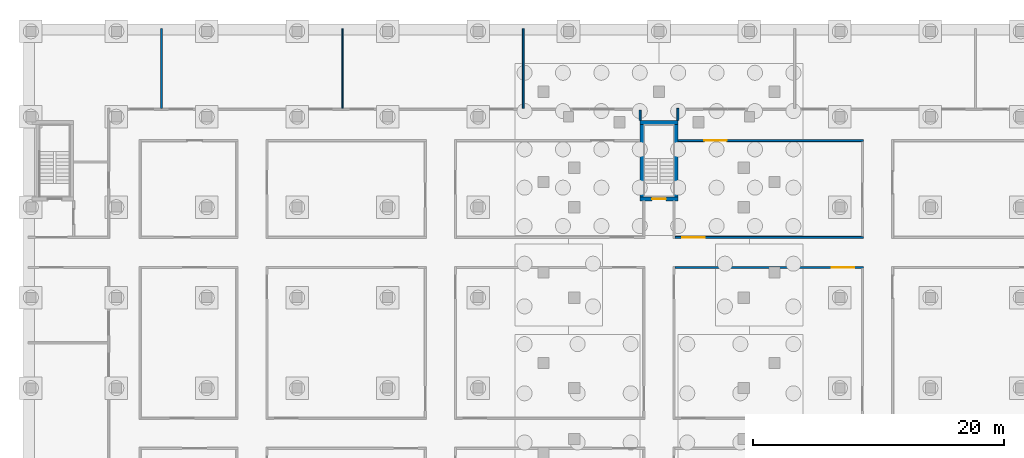
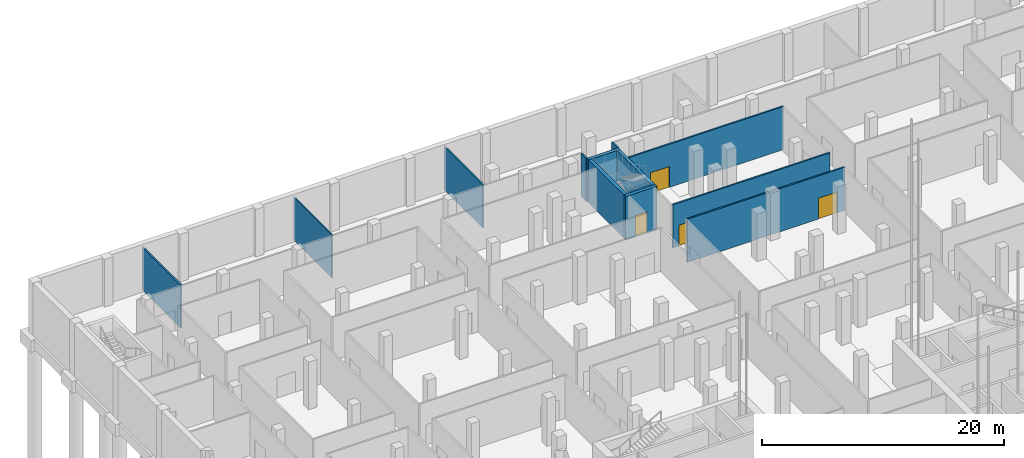
# One storey, part 18 of 54: 12 walls, 4 doors, 4 openings.
"""IFC4 building model written with IfcOpenShell, lengths in metres."""

from ifc_helpers import new_model, si_unit, direction, frame, frame_2d, origin, place, context, subcontext, project, spatial, rectangle, extrude, material, layer, layer_set, type_object, element, fill, save


model = new_model("IFC4")

# Units and contexts
model_context = context("Model", 3, precision=1e-05, world=origin(), true_north=direction((0.0, 1.0)))
body_context = subcontext(model_context, "Body", "Model", "MODEL_VIEW")
ifc_project = project(units=[si_unit("LENGTHUNIT", "METRE"), si_unit("AREAUNIT", "SQUARE_METRE"), si_unit("VOLUMEUNIT", "CUBIC_METRE"), si_unit("PLANEANGLEUNIT", "RADIAN"), si_unit("MASSUNIT", "GRAM", prefix="KILO")], contexts=[model_context])

# Site, building, storey
site_placement = place(None, origin())
site = spatial("IfcSite", under=ifc_project, at=site_placement, CompositionType="ELEMENT")
building_placement = place(site_placement, origin())
building = spatial("IfcBuilding", under=site, at=building_placement, Name="Fustian Cross Tower", CompositionType="ELEMENT")
storey_placement = place(building_placement, frame((0.0, 0.0, -4.800048828125)))
storey = spatial("IfcBuildingStorey", under=building, at=storey_placement, Name="B1", CompositionType="ELEMENT", Elevation=-4.800048828125)

# Walls
ifc_material_1 = material(Name="Plasterboard on steel stud", Category="steel")
ifc_layer_1 = layer(ifc_material_1, 0.14990234375)
ifc_layer_set_1 = layer_set([ifc_layer_1], Name="Plasterboard on steel stud")
wall_type_1 = type_object("IfcWallType", Name="COMPARTMENT WALL 150 EI 60", PredefinedType="PARTITIONING", material=ifc_layer_set_1)
for number, where, z_axis, x_axis, name in (
    (1, (-39.60009765625, 43.875, 0.0), (0.0, 0.0, 1.0), (0.0, 1.0, 0.0), "Partition 38"),
    (2, (-10.800048828125, 43.875, 0.0), (0.0, 0.0, 1.0), (0.0, 1.0, 0.0), "Partition 89"),
):
    element("IfcWall", number, at=place(storey_placement, frame(where, z_axis=z_axis, x_axis=x_axis)), inside=storey, type_object=wall_type_1, Name=name, PredefinedType="PARTITIONING", context=body_context, shape_type="SweptSolid", body=[
        extrude(rectangle(XDim=6.344970703125, YDim=0.14990234375, at=frame_2d((3.17236328125, 0.0))), origin(), (0.0, 0.0, 1.0), 4.35009765625),
    ])
wall_1_placement = place(storey_placement, frame((-1.5, 42.89990234375, 0.0), z_axis=(0.0, 0.0, 1.0), x_axis=(0.0, 1.0, 0.0)))
element("IfcWall", 3, at=wall_1_placement, inside=storey, type_object=wall_type_1, Name="Partition 93", PredefinedType="PARTITIONING", context=body_context, shape_type="SweptSolid", body=[
    extrude(rectangle(XDim=0.8251953125, YDim=0.14990234375, at=frame_2d((0.41259765625, 0.0))), origin(), (0.0, 0.0, 1.0), 4.35009765625),
])

# Wall, opening, door
wall_2_placement = place(storey_placement, frame((1.27490234375, 31.199951171875, 0.0), z_axis=(0.0, 0.0, 1.0), x_axis=(1.0, 0.0, 0.0)))
wall_2 = element("IfcWall", 4, at=wall_2_placement, inside=storey, type_object=wall_type_1, Name="Partition 113", PredefinedType="PARTITIONING", context=body_context, shape_type="SweptSolid", body=[
    extrude(rectangle(XDim=15.0, YDim=0.14990234375, at=frame_2d((7.5, 0.0))), origin(), (0.0, 0.0, 1.0), 4.35009765625),
])
opening_1_placement = place(wall_2_placement, frame((12.47509765625, 0.0, 0.0)))
opening_1 = element("IfcOpeningElement", 5, at=opening_1_placement, cuts=wall_2, Name="Opening D01059", PredefinedType="OPENING", context=body_context, shape_type="SweptSolid", body=[
    extrude(rectangle(XDim=1.800048828125, YDim=2.10009765625, at=frame_2d((0.89990234375, 1.050048828125))), frame((0.0, 0.0849609375, 0.0), z_axis=(0.0, -1.0, 0.0), x_axis=(1.0, 0.0, 0.0)), (0.0, 0.0, 1.0), 0.169921875),
])
ifc_material_2 = material(Name="Timber fire door set", Category="wood")
door_type_1 = type_object("IfcDoorType", Name="FIRE DOUBLE DOOR 1800 FD60S", OperationType="DOUBLE_DOOR_DOUBLE_SWING", PredefinedType="DOOR", material=ifc_material_2)
door_1_placement = place(opening_1_placement, origin())
door_1 = element("IfcDoor", 6, at=door_1_placement, inside=storey, type_object=door_type_1, Name="Door D01059", OperationType="DOUBLE_DOOR_DOUBLE_SWING", OverallHeight=2.10009765625, OverallWidth=1.800048828125, PredefinedType="DOOR", context=body_context, shape_type="SweptSolid", body=[
    extrude(rectangle(XDim=1.800048828125, YDim=2.10009765625, at=frame_2d((0.89990234375, 1.050048828125))), frame((0.0, 0.02490234375, 0.0), z_axis=(0.0, -1.0, 0.0), x_axis=(1.0, 0.0, 0.0)), (0.0, 0.0, 1.0), 0.050048828125),
])
fill(opening_1, door_1)

wall_3_placement = place(storey_placement, frame((1.27490234375, 33.60009765625, 0.0), z_axis=(0.0, 0.0, 1.0), x_axis=(1.0, 0.0, 0.0)))
wall_3 = element("IfcWall", 7, at=wall_3_placement, inside=storey, type_object=wall_type_1, Name="Partition 115", PredefinedType="PARTITIONING", context=body_context, shape_type="SweptSolid", body=[
    extrude(rectangle(XDim=15.0, YDim=0.14990234375, at=frame_2d((7.5, 0.0))), origin(), (0.0, 0.0, 1.0), 4.35009765625),
])
opening_2_placement = place(wall_3_placement, frame((0.574951171875, 0.0, 0.0)))
opening_2 = element("IfcOpeningElement", 8, at=opening_2_placement, cuts=wall_3, Name="Opening D01135", PredefinedType="OPENING", context=body_context, shape_type="SweptSolid", body=[
    extrude(rectangle(XDim=1.800048828125, YDim=2.10009765625, at=frame_2d((0.89990234375, 1.050048828125))), frame((0.0, 0.0849609375, 0.0), z_axis=(0.0, -1.0, 0.0), x_axis=(1.0, 0.0, 0.0)), (0.0, 0.0, 1.0), 0.169921875),
])
ifc_material_3 = material(Name="Timber fire door set", Category="wood")
door_type_2 = type_object("IfcDoorType", Name="FIRE DOUBLE DOOR 1800 FD30S", OperationType="DOUBLE_DOOR_DOUBLE_SWING", PredefinedType="DOOR", material=ifc_material_3)
door_2_placement = place(opening_2_placement, frame((1.800048828125, 0.0, 0.0), z_axis=(0.0, 0.0, 1.0), x_axis=(-1.0, 0.0, 0.0)))
door_2 = element("IfcDoor", 9, at=door_2_placement, inside=storey, type_object=door_type_2, Name="Door D01135", OperationType="DOUBLE_DOOR_DOUBLE_SWING", OverallHeight=2.10009765625, OverallWidth=1.800048828125, PredefinedType="DOOR", context=body_context, shape_type="SweptSolid", body=[
    extrude(rectangle(XDim=1.800048828125, YDim=2.10009765625, at=frame_2d((0.89990234375, 1.050048828125))), frame((0.0, 0.02490234375, 0.0), z_axis=(0.0, -1.0, 0.0), x_axis=(1.0, 0.0, 0.0)), (0.0, 0.0, 1.0), 0.050048828125),
])
fill(opening_2, door_2)

wall_4_placement = place(storey_placement, frame((1.5, 41.300048828125, 0.0), z_axis=(0.0, 0.0, 1.0), x_axis=(1.0, 0.0, 0.0)))
wall_4 = element("IfcWall", 10, at=wall_4_placement, inside=storey, type_object=wall_type_1, Name="Partition 119", PredefinedType="PARTITIONING", context=body_context, shape_type="SweptSolid", body=[
    extrude(rectangle(XDim=14.77490234375, YDim=0.14990234375, at=frame_2d((7.387451171875, 0.0))), origin(), (0.0, 0.0, 1.0), 4.35009765625),
])
opening_3_placement = place(wall_4_placement, frame((2.10009765625, 0.0, 0.0)))
opening_3 = element("IfcOpeningElement", 11, at=opening_3_placement, cuts=wall_4, Name="Opening D01136", PredefinedType="OPENING", context=body_context, shape_type="SweptSolid", body=[
    extrude(rectangle(XDim=1.800048828125, YDim=2.10009765625, at=frame_2d((0.89990234375, 1.050048828125))), frame((0.0, 0.0849609375, 0.0), z_axis=(0.0, -1.0, 0.0), x_axis=(1.0, 0.0, 0.0)), (0.0, 0.0, 1.0), 0.169921875),
])
door_3_placement = place(opening_3_placement, origin())
door_3 = element("IfcDoor", 12, at=door_3_placement, inside=storey, type_object=door_type_2, Name="Door D01136", OperationType="DOUBLE_DOOR_DOUBLE_SWING", OverallHeight=2.10009765625, OverallWidth=1.800048828125, PredefinedType="DOOR", context=body_context, shape_type="SweptSolid", body=[
    extrude(rectangle(XDim=1.800048828125, YDim=2.10009765625, at=frame_2d((0.89990234375, 1.050048828125))), frame((0.0, 0.02490234375, 0.0), z_axis=(0.0, -1.0, 0.0), x_axis=(1.0, 0.0, 0.0)), (0.0, 0.0, 1.0), 0.050048828125),
])
fill(opening_3, door_3)

# Walls
wall_5_placement = place(storey_placement, frame((1.5, 42.89990234375, 0.0), z_axis=(0.0, 0.0, 1.0), x_axis=(0.0, 1.0, 0.0)))
element("IfcWall", 13, at=wall_5_placement, inside=storey, type_object=wall_type_1, Name="Partition 120", PredefinedType="PARTITIONING", context=body_context, shape_type="SweptSolid", body=[
    extrude(rectangle(XDim=0.97509765625, YDim=0.14990234375, at=frame_2d((0.487548828125, 0.0))), origin(), (0.0, 0.0, 1.0), 4.35009765625),
])
ifc_material_4 = material(Name="Plasterboard on steel stud", Category="steel")
ifc_layer_2 = layer(ifc_material_4, 0.10009765625)
ifc_layer_set_2 = layer_set([ifc_layer_2], Name="Plasterboard on steel stud")
wall_type_2 = type_object("IfcWallType", Name="PARTITION 100 STUD", PredefinedType="PARTITIONING", material=ifc_layer_set_2)
wall_6_placement = place(storey_placement, frame((-25.199951171875, 43.875, 0.0), z_axis=(0.0, 0.0, 1.0), x_axis=(0.0, 1.0, 0.0)))
element("IfcWall", 14, at=wall_6_placement, inside=storey, type_object=wall_type_2, Name="Partition 65", PredefinedType="PARTITIONING", context=body_context, shape_type="SweptSolid", body=[
    extrude(rectangle(XDim=6.344970703125, YDim=0.10009765625, at=frame_2d((3.17236328125, 0.0))), origin(), (0.0, 0.0, 1.0), 4.35009765625),
])

# Wall, opening, door
ifc_material_5 = material(Name="Concrete C50/60", Category="concrete")
ifc_layer_3 = layer(ifc_material_5, 0.300048828125)
ifc_layer_set_3 = layer_set([ifc_layer_3], Name="Concrete C50/60")
wall_type_3 = type_object("IfcWallType", Name="STAIR ENCLOSURE WALL 300 C50/60", PredefinedType="SHEAR", material=ifc_layer_set_3)
wall_7_placement = place(storey_placement, frame((-1.5, 36.64990234375, 0.0), z_axis=(0.0, 0.0, 1.0), x_axis=(1.0, 0.0, 0.0)))
wall_7 = element("IfcWall", 15, at=wall_7_placement, inside=storey, type_object=wall_type_3, Name="Stair enclosure wall", PredefinedType="SHEAR", context=body_context, shape_type="SweptSolid", body=[
    extrude(rectangle(XDim=3.0, YDim=0.300048828125, at=frame_2d((1.5, 0.0))), origin(), (0.0, 0.0, 1.0), 4.35009765625),
])
opening_4_placement = place(wall_7_placement, frame((0.949951171875, 0.0, 0.0)))
opening_4 = element("IfcOpeningElement", 16, at=opening_4_placement, cuts=wall_7, Name="Opening CD-01-23", PredefinedType="OPENING", context=body_context, shape_type="SweptSolid", body=[
    extrude(rectangle(XDim=1.10009765625, YDim=2.10009765625, at=frame_2d((0.550048828125, 1.050048828125))), frame((0.0, 0.159912109375, 0.0), z_axis=(0.0, -1.0, 0.0), x_axis=(1.0, 0.0, 0.0)), (0.0, 0.0, 1.0), 0.320068359375),
])
ifc_material_6 = material(Name="Steel", Category="steel")
door_type_3 = type_object("IfcDoorType", Name="FIRE DOOR FD60S 1100X2100", OperationType="SINGLE_SWING_LEFT", PredefinedType="DOOR", material=ifc_material_6)
door_4_placement = place(opening_4_placement, origin())
door_4 = element("IfcDoor", 17, at=door_4_placement, inside=storey, type_object=door_type_3, Name="Core door CD-01-23", OperationType="SINGLE_SWING_LEFT", OverallHeight=2.10009765625, OverallWidth=1.10009765625, PredefinedType="DOOR", context=body_context, shape_type="SweptSolid", body=[
    extrude(rectangle(XDim=1.10009765625, YDim=2.10009765625, at=frame_2d((0.550048828125, 1.050048828125))), frame((0.0, 0.02490234375, 0.0), z_axis=(0.0, -1.0, 0.0), x_axis=(1.0, 0.0, 0.0)), (0.0, 0.0, 1.0), 0.050048828125),
])
fill(opening_4, door_4)

# Walls
wall_8_placement = place(storey_placement, frame((-1.5, 42.75, 0.0), z_axis=(0.0, 0.0, 1.0), x_axis=(1.0, 0.0, 0.0)))
element("IfcWall", 18, at=wall_8_placement, inside=storey, type_object=wall_type_3, Name="Stair enclosure wall", PredefinedType="SHEAR", context=body_context, shape_type="SweptSolid", body=[
    extrude(rectangle(XDim=3.0, YDim=0.300048828125, at=frame_2d((1.5, 0.0))), origin(), (0.0, 0.0, 1.0), 4.35009765625),
])
for number, where, z_axis, x_axis, name in (
    (19, (-1.35009765625, 36.800048828125, 0.0), (0.0, 0.0, 1.0), (0.0, 1.0, 0.0), "Stair enclosure wall"),
    (20, (1.35009765625, 36.800048828125, 0.0), (0.0, 0.0, 1.0), (0.0, 1.0, 0.0), "Stair enclosure wall"),
):
    element("IfcWall", number, at=place(storey_placement, frame(where, z_axis=z_axis, x_axis=x_axis)), inside=storey, type_object=wall_type_3, Name=name, PredefinedType="SHEAR", context=body_context, shape_type="SweptSolid", body=[
        extrude(rectangle(XDim=5.800048828125, YDim=0.300048828125, at=frame_2d((2.89990234375, 0.0))), origin(), (0.0, 0.0, 1.0), 4.35009765625),
    ])

save(model, "model.ifc")
